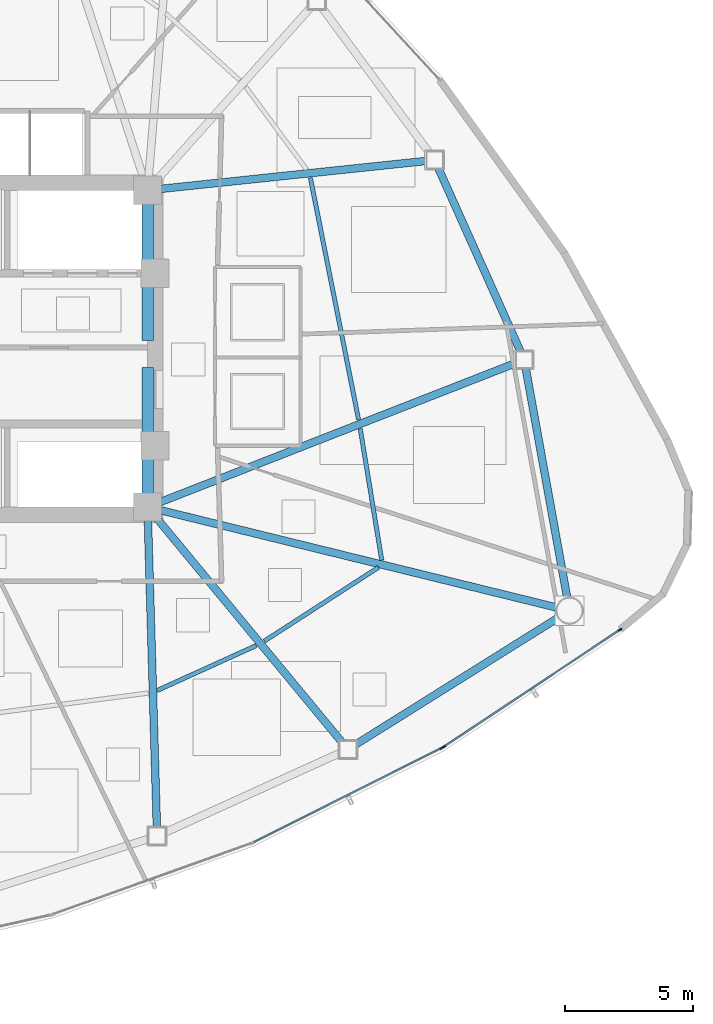
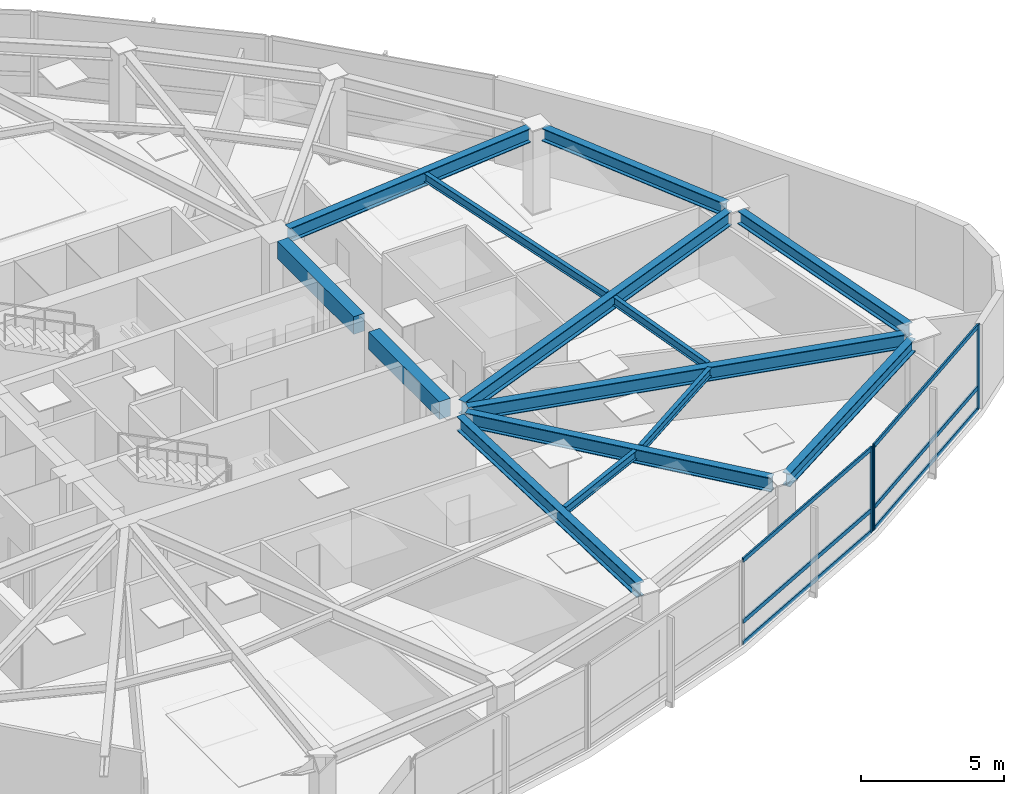
# One storey, part 6 of 17: 14 beams, 9 members, 2 elements without a shape of their own.
"""IFC4 building model written with IfcOpenShell, lengths in metres."""

from ifc_helpers import new_model, si_unit, direction, frame, origin, origin_2d, place, context, subcontext, project, spatial, rectangle, hollow_rectangle, i_section, extrude, source, transform, mapped, material, layer, layer_set, material_profile, profile_set, type_object, type_shapes, element, aggregate, save


model = new_model("IFC4")

# Units and contexts
model_context = context("Model", 3, precision=1e-05, world=origin(), true_north=direction((0.0, 1.0)))
body_context = subcontext(model_context, "Body", "Model", "MODEL_VIEW")
ifc_project = project(units=[si_unit("LENGTHUNIT", "METRE"), si_unit("AREAUNIT", "SQUARE_METRE"), si_unit("VOLUMEUNIT", "CUBIC_METRE"), si_unit("PLANEANGLEUNIT", "RADIAN"), si_unit("MASSUNIT", "GRAM", prefix="KILO")], contexts=[model_context])

# Site, building, storey
site_placement = place(None, origin())
site = spatial("IfcSite", under=ifc_project, at=site_placement, CompositionType="ELEMENT")
building_placement = place(site_placement, origin())
building = spatial("IfcBuilding", under=site, at=building_placement, Name="Tavelor Broadcast Tower", CompositionType="ELEMENT")
storey_placement = place(building_placement, frame((0.0, 0.0, 93.89990234375)))
storey = spatial("IfcBuildingStorey", under=building, at=storey_placement, Name="L22", CompositionType="ELEMENT", Elevation=93.89990234375)

# Beams
ifc_material_1 = material(Name="Concrete C40/50", Category="concrete")
ifc_material_profile_1 = material_profile(ifc_material_1, rectangle(XDim=0.449951171875, YDim=0.75, at=origin_2d()), Name="RC 450x750")
ifc_profile_set_1 = profile_set([ifc_material_profile_1], Name="Concrete C40/50")
beam_type_1 = type_object("IfcBeamType", Name="Basement Core Trim Beam 450x750", PredefinedType="BEAM", material=ifc_profile_set_1)
beam_1_placement = place(storey_placement, frame((56.60009765625, 45.327880859375, 3.22509765625), z_axis=(0.0, 1.0, 0.0), x_axis=(-1.0, 0.0, 0.0)))
element("IfcBeam", 1, at=beam_1_placement, inside=storey, type_object=beam_type_1, Name="L22 Core East-N Tie Girder", PredefinedType="BEAM", context=body_context, shape_type="SweptSolid", body=[
    extrude(rectangle(XDim=0.449951171875, YDim=0.75, at=origin_2d()), origin(), (0.0, 0.0, 1.0), 5.34423828125),
])
beam_2_placement = place(storey_placement, frame((56.60009765625, 39.327880859375, 3.22509765625), z_axis=(0.0, 1.0, 0.0), x_axis=(-1.0, 0.0, 0.0)))
element("IfcBeam", 2, at=beam_2_placement, inside=storey, type_object=beam_type_1, Name="L22 Core East-S Tie Girder", PredefinedType="BEAM", context=body_context, shape_type="SweptSolid", body=[
    extrude(rectangle(XDim=0.449951171875, YDim=0.75, at=origin_2d()), origin(), (0.0, 0.0, 1.0), 4.944091796875),
])
ifc_material_2 = material(Name="Steel S355", Category="steel")
ifc_material_profile_2 = material_profile(ifc_material_2, i_section(OverallWidth=0.169921875, OverallDepth=0.360107421875, WebThickness=0.008056640625, FlangeThickness=0.0126953125, at=origin_2d()), Name="IPE 360")
ifc_profile_set_2 = profile_set([ifc_material_profile_2], Name="Steel S355")
beam_type_2 = type_object("IfcBeamType", Name="Composite Floor Joist T2 IPE 360", PredefinedType="JOIST", material=ifc_profile_set_2)
beam_3_placement = place(storey_placement, frame((56.976318359375, 31.61865234375, 3.420166015625), z_axis=(0.910576347723, 0.413340918573, 0.0), x_axis=(-0.413340918573, 0.910576347723, 0.0)))
element("IfcBeam", 3, at=beam_3_placement, inside=storey, type_object=beam_type_2, Name="L22 Secondary Composite Floor Joist 11", PredefinedType="JOIST", context=body_context, shape_type="SweptSolid", body=[
    extrude(i_section(OverallWidth=0.169921875, OverallDepth=0.360107421875, WebThickness=0.008056640625, FlangeThickness=0.0126953125, at=origin_2d()), origin(), (0.0, 0.0, 1.0), 4.26025390625),
])
beam_4_placement = place(storey_placement, frame((61.172607421875, 33.552490234375, 3.420166015625), z_axis=(0.839830816691, 0.542848228639, 0.0), x_axis=(-0.542848228639, 0.839830816691, 0.0)))
element("IfcBeam", 4, at=beam_4_placement, inside=storey, type_object=beam_type_2, Name="L22 Secondary Composite Floor Joist 12", PredefinedType="JOIST", context=body_context, shape_type="SweptSolid", body=[
    extrude(i_section(OverallWidth=0.169921875, OverallDepth=0.360107421875, WebThickness=0.008056640625, FlangeThickness=0.0126953125, at=origin_2d()), origin(), (0.0, 0.0, 1.0), 5.325439453125),
])
beam_5_placement = place(storey_placement, frame((65.767822265625, 36.72021484375, 3.420166015625), z_axis=(-0.161277112784, 0.986909161419, 0.0), x_axis=(-0.986909161419, -0.161277112784, 0.0)))
element("IfcBeam", 5, at=beam_5_placement, inside=storey, type_object=beam_type_2, Name="L22 Secondary Composite Floor Joist 13", PredefinedType="JOIST", context=body_context, shape_type="SweptSolid", body=[
    extrude(i_section(OverallWidth=0.169921875, OverallDepth=0.360107421875, WebThickness=0.008056640625, FlangeThickness=0.0126953125, at=origin_2d()), origin(), (0.0, 0.0, 1.0), 5.213623046875),
])
beam_6_placement = place(storey_placement, frame((64.8623046875, 42.2216796875, 3.420166015625), z_axis=(-0.195581157194, 0.980687519524, 0.0), x_axis=(-0.980687519524, -0.195581157194, 0.0)))
element("IfcBeam", 6, at=beam_6_placement, inside=storey, type_object=beam_type_2, Name="L22 Secondary Composite Floor Joist 14", PredefinedType="JOIST", context=body_context, shape_type="SweptSolid", body=[
    extrude(i_section(OverallWidth=0.169921875, OverallDepth=0.360107421875, WebThickness=0.008056640625, FlangeThickness=0.0126953125, at=origin_2d()), origin(), (0.0, 0.0, 1.0), 9.654296875),
])
ifc_material_profile_3 = material_profile(ifc_material_2, i_section(OverallWidth=0.300048828125, OverallDepth=0.550048828125, WebThickness=0.014892578125, FlangeThickness=0.029052734375, at=origin_2d()), Name="HEB 550")
ifc_profile_set_3 = profile_set([ifc_material_profile_3], Name="Steel S355")
beam_type_3 = type_object("IfcBeamType", Name="Perimeter Spandrel Beam T2 HEB 550", PredefinedType="SPANDREL", material=ifc_profile_set_3)
beam_7_placement = place(storey_placement, frame((64.728271484375, 29.493408203125, 3.3251953125), z_axis=(0.847666386228, 0.530529638813, 0.0), x_axis=(-0.530529638813, 0.847666386228, 0.0)))
element("IfcBeam", 7, at=beam_7_placement, inside=storey, type_object=beam_type_3, Name="L22 Framed-Tube Ring Spandrel 12", PredefinedType="SPANDREL", context=body_context, shape_type="SweptSolid", body=[
    extrude(i_section(OverallWidth=0.300048828125, OverallDepth=0.550048828125, WebThickness=0.014892578125, FlangeThickness=0.029052734375, at=origin_2d()), origin(), (0.0, 0.0, 1.0), 9.385009765625),
])
beam_8_placement = place(storey_placement, frame((73.02685546875, 35.248046875, 3.3251953125), z_axis=(-0.177746542691, 0.984076301189, 0.0), x_axis=(-0.984076301189, -0.177746542691, 0.0)))
element("IfcBeam", 8, at=beam_8_placement, inside=storey, type_object=beam_type_3, Name="L22 Framed-Tube Ring Spandrel 13", PredefinedType="SPANDREL", context=body_context, shape_type="SweptSolid", body=[
    extrude(i_section(OverallWidth=0.300048828125, OverallDepth=0.550048828125, WebThickness=0.014892578125, FlangeThickness=0.029052734375, at=origin_2d()), origin(), (0.0, 0.0, 1.0), 9.13134765625),
])
beam_9_placement = place(storey_placement, frame((71.206787109375, 44.87109375, 3.3251953125), z_axis=(-0.408951132019, 0.912556284084, 0.0), x_axis=(-0.912556284084, -0.408951132019, 0.0)))
element("IfcBeam", 9, at=beam_9_placement, inside=storey, type_object=beam_type_3, Name="L22 Framed-Tube Ring Spandrel 14", PredefinedType="SPANDREL", context=body_context, shape_type="SweptSolid", body=[
    extrude(i_section(OverallWidth=0.300048828125, OverallDepth=0.550048828125, WebThickness=0.014892578125, FlangeThickness=0.029052734375, at=origin_2d()), origin(), (0.0, 0.0, 1.0), 7.895263671875),
])
ifc_material_profile_4 = material_profile(ifc_material_2, i_section(OverallWidth=0.300048828125, OverallDepth=0.60009765625, WebThickness=0.015380859375, FlangeThickness=0.030029296875, at=origin_2d()), Name="HEB 600")
ifc_profile_set_4 = profile_set([ifc_material_profile_4], Name="Steel S355")
beam_type_4 = type_object("IfcBeamType", Name="Radial Floor Girder T2 HEB 600", PredefinedType="BEAM", material=ifc_profile_set_4)
beam_10_placement = place(storey_placement, frame((56.615478515625, 38.272216796875, 3.300048828125), z_axis=(0.029126279866, -0.999575739912, 0.0), x_axis=(0.999575739912, 0.029126279866, 0.0)))
element("IfcBeam", 10, at=beam_10_placement, inside=storey, type_object=beam_type_4, Name="L22 Radial Primary Floor Girder 11", PredefinedType="BEAM", context=body_context, shape_type="SweptSolid", body=[
    extrude(i_section(OverallWidth=0.300048828125, OverallDepth=0.60009765625, WebThickness=0.015380859375, FlangeThickness=0.030029296875, at=origin_2d()), origin(), (0.0, 0.0, 1.0), 12.02001953125),
])
beam_11_placement = place(storey_placement, frame((56.9365234375, 38.39306640625, 3.300048828125), z_axis=(0.637277760564, -0.770634190709, 0.0), x_axis=(0.770634190709, 0.637277760564, 0.0)))
element("IfcBeam", 11, at=beam_11_placement, inside=storey, type_object=beam_type_4, Name="L22 Radial Primary Floor Girder 12", PredefinedType="BEAM", context=body_context, shape_type="SweptSolid", body=[
    extrude(i_section(OverallWidth=0.300048828125, OverallDepth=0.60009765625, WebThickness=0.015380859375, FlangeThickness=0.030029296875, at=origin_2d()), origin(), (0.0, 0.0, 1.0), 11.44384765625),
])
beam_12_placement = place(storey_placement, frame((57.11279296875, 38.674072265625, 3.300048828125), z_axis=(0.971151145926, -0.238464780979, 0.0), x_axis=(0.238464780979, 0.971151145926, 0.0)))
element("IfcBeam", 12, at=beam_12_placement, inside=storey, type_object=beam_type_4, Name="L22 Radial Primary Floor Girder 13", PredefinedType="BEAM", context=body_context, shape_type="SweptSolid", body=[
    extrude(i_section(OverallWidth=0.300048828125, OverallDepth=0.60009765625, WebThickness=0.015380859375, FlangeThickness=0.030029296875, at=origin_2d()), origin(), (0.0, 0.0, 1.0), 15.96826171875),
])
beam_13_placement = place(storey_placement, frame((57.091796875, 38.9921875, 3.300048828125), z_axis=(0.931341899941, 0.36414593972, 0.0), x_axis=(-0.36414593972, 0.931341899941, 0.0)))
element("IfcBeam", 13, at=beam_13_placement, inside=storey, type_object=beam_type_4, Name="L22 Radial Primary Floor Girder 14", PredefinedType="BEAM", context=body_context, shape_type="SweptSolid", body=[
    extrude(i_section(OverallWidth=0.300048828125, OverallDepth=0.60009765625, WebThickness=0.015380859375, FlangeThickness=0.030029296875, at=origin_2d()), origin(), (0.0, 0.0, 1.0), 14.967041015625),
])
beam_14_placement = place(storey_placement, frame((57.125, 51.255126953125, 3.300048828125), z_axis=(0.994510577777, 0.104636086941, 0.0), x_axis=(-0.104636086941, 0.994510577777, 0.0)))
element("IfcBeam", 14, at=beam_14_placement, inside=storey, type_object=beam_type_4, Name="L22 Radial Primary Floor Girder 15", PredefinedType="BEAM", context=body_context, shape_type="SweptSolid", body=[
    extrude(i_section(OverallWidth=0.300048828125, OverallDepth=0.60009765625, WebThickness=0.015380859375, FlangeThickness=0.030029296875, at=origin_2d()), origin(), (0.0, 0.0, 1.0), 10.43896484375),
])

# Curtain wall, member
ifc_material_3 = material(Name="Architectural Anodized Aluminium", Category="aluminium")
ifc_layer = layer(ifc_material_3, 0.179931640625)
ifc_layer_set = layer_set([ifc_layer], Name="Architectural Anodized Aluminium")
curtain_wall_type = type_object("IfcCurtainWallType", Name="Tower Low-Zone Unitised Curtain Wall CW02", PredefinedType="NOTDEFINED", material=ifc_layer_set)
curtain_wall_1_placement = place(storey_placement, origin())
curtain_wall_1 = element("IfcCurtainWall", 15, at=curtain_wall_1_placement, inside=storey, type_object=curtain_wall_type, Name="L22 Curtain Wall CW02 Run 223", PredefinedType="NOTDEFINED")
ifc_material_profile_5 = material_profile(ifc_material_3, hollow_rectangle(XDim=0.06494140625, YDim=0.179931640625, WallThickness=0.02197265625, at=origin_2d()), Name="RHS 65x180x22")
ifc_profile_set_5 = profile_set([ifc_material_profile_5], Name="Architectural Anodized Aluminium")
member_type_1 = type_object("IfcMemberType", Name="CW02 Extruded Aluminium Mullion 65x180", PredefinedType="MULLION", material=ifc_profile_set_5)
shared_shape_1 = source(origin(), body_context, "Body", "SweptSolid", [
    extrude(hollow_rectangle(XDim=0.06494140625, YDim=0.179931640625, WallThickness=0.02197265625, at=origin_2d()), origin(), (0.0, 0.0, 1.0), 3.60009765625),
])
type_shapes(member_type_1, [shared_shape_1])
member_1_placement = place(storey_placement, frame((68.117431640625, 29.36865234375, 0.0), z_axis=(0.0, 0.0, 1.0), x_axis=(-0.448160815201, 0.893952953862, 0.0)))
member_1 = element("IfcMember", 16, at=member_1_placement, type_object=member_type_1, Name="CW02 mullion 2", PredefinedType="MULLION", context=body_context, shape_type="MappedRepresentation", body=[
    mapped(shared_shape_1, transform((0.0, 0.0, 0.0), scale=1.0)),
])

# Curtain wall, members
curtain_wall_2_placement = place(storey_placement, origin())
curtain_wall_2 = element("IfcCurtainWall", 17, at=curtain_wall_2_placement, inside=storey, type_object=curtain_wall_type, Name="L22 Curtain Wall CW02 Run 224", PredefinedType="NOTDEFINED")
member_2_placement = place(storey_placement, frame((68.199462890625, 29.416259765625, 0.0), z_axis=(0.0, 0.0, 1.0), x_axis=(-0.553059652841, 0.833141656862, 0.0)))
member_2 = element("IfcMember", 18, at=member_2_placement, type_object=member_type_1, Name="CW02 mullion 1", PredefinedType="MULLION", context=body_context, shape_type="MappedRepresentation", body=[
    mapped(shared_shape_1, transform((0.0, 0.0, 0.0), scale=1.0)),
])
member_3_placement = place(storey_placement, frame((75.087890625, 33.98876953125, 0.0), z_axis=(0.0, 0.0, 1.0), x_axis=(-0.553059652841, 0.833141656862, 0.0)))
member_3 = element("IfcMember", 19, at=member_3_placement, type_object=member_type_1, Name="CW02 mullion 2", PredefinedType="MULLION", context=body_context, shape_type="MappedRepresentation", body=[
    mapped(shared_shape_1, transform((0.0, 0.0, 0.0), scale=1.0)),
])

# Member
ifc_material_profile_6 = material_profile(ifc_material_3, hollow_rectangle(XDim=0.06494140625, YDim=0.179931640625, WallThickness=0.02197265625, at=origin_2d()), Name="RHS 65x180x22")
ifc_profile_set_6 = profile_set([ifc_material_profile_6], Name="Architectural Anodized Aluminium")
member_type_2 = type_object("IfcMemberType", Name="CW02 Extruded Aluminium Transom 65x180", PredefinedType="USERDEFINED", material=ifc_profile_set_6)
shared_shape_2 = source(origin(), body_context, "Body", "SweptSolid", [
    extrude(hollow_rectangle(XDim=0.06494140625, YDim=0.179931640625, WallThickness=0.02197265625, at=origin_2d()), origin(), (0.0, 0.0, 1.0), 8.18701171875),
])
member_4_placement = place(storey_placement, frame((60.76953125, 25.68505859375, 0.03271484375), z_axis=(0.893961505957, 0.448143755805, 0.0), x_axis=(-0.448143755805, 0.893961505957, 0.0)))
member_4 = element("IfcMember", 20, at=member_4_placement, type_object=member_type_2, Name="CW02 transom 1.1", ObjectType="TRANSOM", PredefinedType="USERDEFINED", context=body_context, shape_type="MappedRepresentation", body=[
    mapped(shared_shape_2, transform((0.0, 0.0, 0.0), scale=1.0)),
])

member_5_placement = place(storey_placement, frame((60.76953125, 25.68505859375, 0.9501953125), z_axis=(0.893961505957, 0.448143755805, 0.0), x_axis=(-0.448143755805, 0.893961505957, 0.0)))
member_5 = element("IfcMember", 21, at=member_5_placement, type_object=member_type_2, Name="CW02 transom 1.2", ObjectType="TRANSOM", PredefinedType="USERDEFINED", context=body_context, shape_type="MappedRepresentation", body=[
    mapped(shared_shape_2, transform((0.0, 0.0, 0.0), scale=1.0)),
])

member_6_placement = place(storey_placement, frame((60.76953125, 25.68505859375, 3.567626953125), z_axis=(0.893961505957, 0.448143755805, 0.0), x_axis=(-0.448143755805, 0.893961505957, 0.0)))
member_6 = element("IfcMember", 22, at=member_6_placement, type_object=member_type_2, Name="CW02 transom 1.3", ObjectType="TRANSOM", PredefinedType="USERDEFINED", context=body_context, shape_type="MappedRepresentation", body=[
    mapped(shared_shape_2, transform((0.0, 0.0, 0.0), scale=1.0)),
])

aggregate(curtain_wall_1, [member_1, member_4, member_5, member_6])

shared_shape_3 = source(origin(), body_context, "Body", "SweptSolid", [
    extrude(hollow_rectangle(XDim=0.06494140625, YDim=0.179931640625, WallThickness=0.02197265625, at=origin_2d()), origin(), (0.0, 0.0, 1.0), 8.203125),
])
type_shapes(member_type_2, [shared_shape_2, shared_shape_3])
member_7_placement = place(storey_placement, frame((68.2265625, 29.43408203125, 0.03271484375), z_axis=(0.833133878514, 0.553071370143, 0.0), x_axis=(-0.553071370143, 0.833133878514, 0.0)))
member_7 = element("IfcMember", 23, at=member_7_placement, type_object=member_type_2, Name="CW02 transom 1.1", ObjectType="TRANSOM", PredefinedType="USERDEFINED", context=body_context, shape_type="MappedRepresentation", body=[
    mapped(shared_shape_3, transform((0.0, 0.0, 0.0), scale=1.0)),
])

member_8_placement = place(storey_placement, frame((68.2265625, 29.43408203125, 0.9501953125), z_axis=(0.833133878514, 0.553071370143, 0.0), x_axis=(-0.553071370143, 0.833133878514, 0.0)))
member_8 = element("IfcMember", 24, at=member_8_placement, type_object=member_type_2, Name="CW02 transom 1.2", ObjectType="TRANSOM", PredefinedType="USERDEFINED", context=body_context, shape_type="MappedRepresentation", body=[
    mapped(shared_shape_3, transform((0.0, 0.0, 0.0), scale=1.0)),
])

member_9_placement = place(storey_placement, frame((68.2265625, 29.43408203125, 3.567626953125), z_axis=(0.833133878514, 0.553071370143, 0.0), x_axis=(-0.553071370143, 0.833133878514, 0.0)))
member_9 = element("IfcMember", 25, at=member_9_placement, type_object=member_type_2, Name="CW02 transom 1.3", ObjectType="TRANSOM", PredefinedType="USERDEFINED", context=body_context, shape_type="MappedRepresentation", body=[
    mapped(shared_shape_3, transform((0.0, 0.0, 0.0), scale=1.0)),
])

aggregate(curtain_wall_2, [member_2, member_3, member_7, member_8, member_9])

save(model, "model.ifc")
